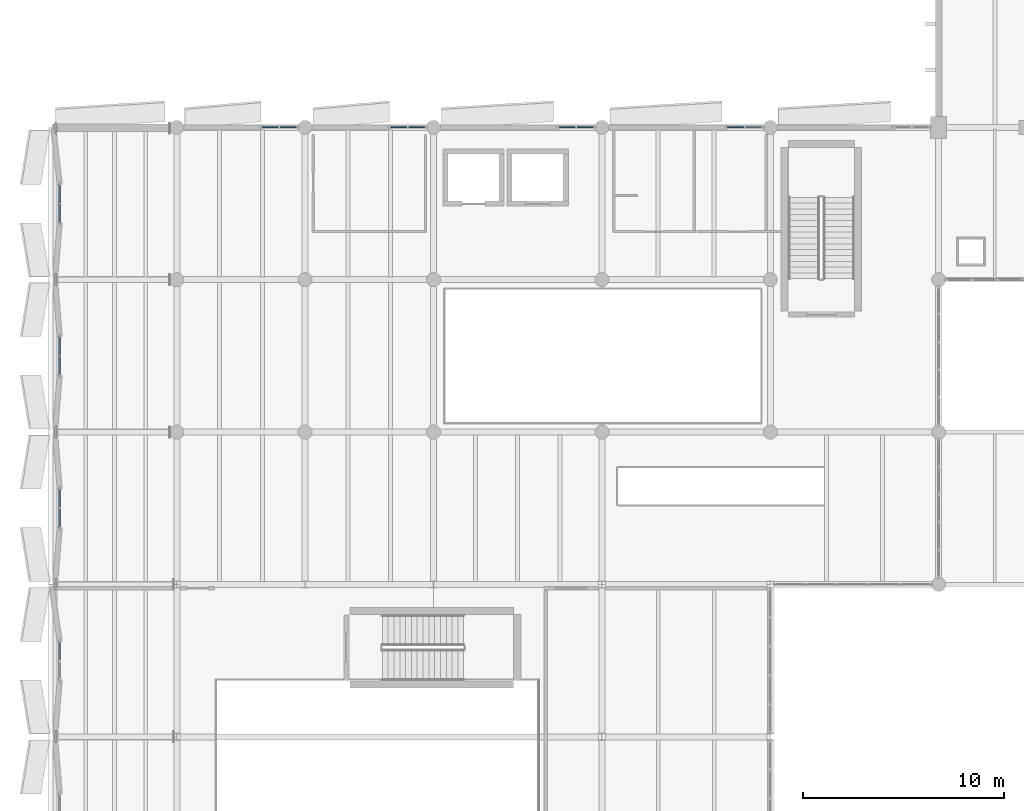
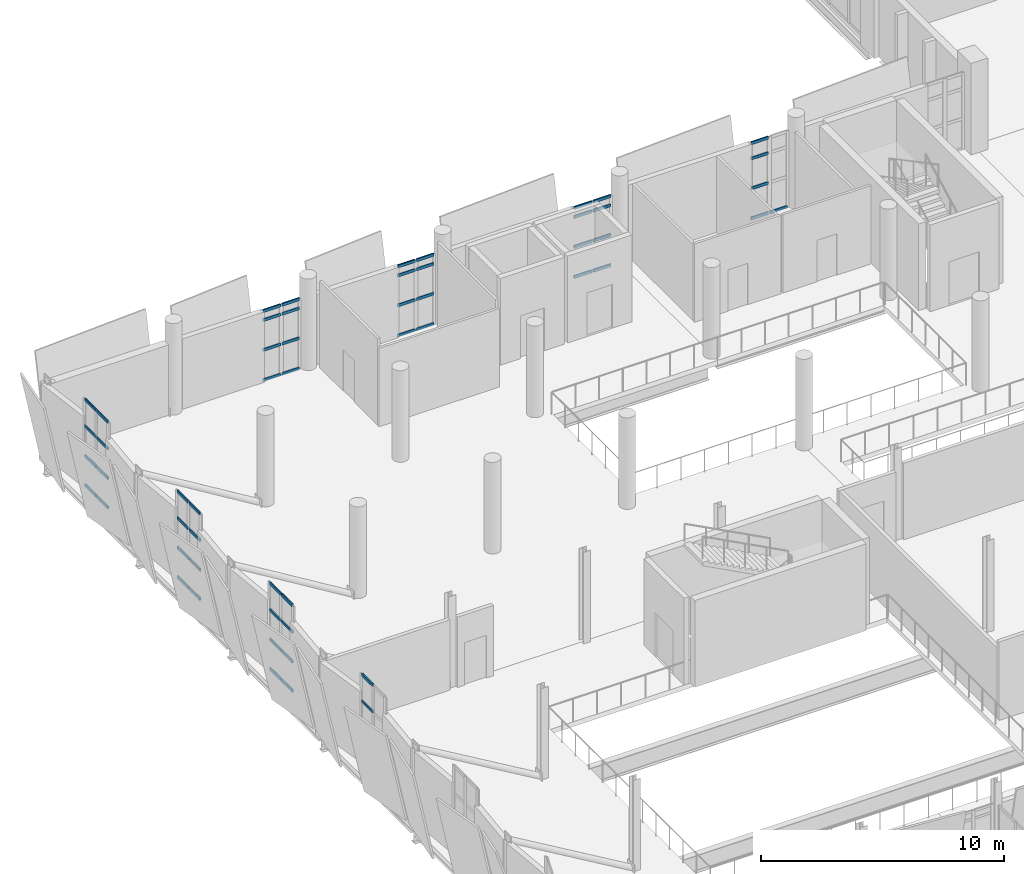
# One storey, part 95 of 136: 55 members, 8 elements without a shape of their own.
"""IFC4 building model written with IfcOpenShell, lengths in metres."""

from ifc_helpers import new_model, si_unit, direction, frame, origin, origin_2d, place, context, subcontext, project, spatial, hollow_rectangle, extrude, material, material_profile, profile_set, type_object, element, aggregate, save


model = new_model("IFC4")

# Units and contexts
model_context = context("Model", 3, precision=1e-05, world=origin(), true_north=direction((0.0, 1.0)))
body_context = subcontext(model_context, "Body", "Model", "MODEL_VIEW")
ifc_project = project(units=[si_unit("LENGTHUNIT", "METRE"), si_unit("AREAUNIT", "SQUARE_METRE"), si_unit("VOLUMEUNIT", "CUBIC_METRE"), si_unit("PLANEANGLEUNIT", "RADIAN"), si_unit("MASSUNIT", "GRAM", prefix="KILO")], contexts=[model_context])

# Site, building, storey
site_placement = place(None, origin())
site = spatial("IfcSite", under=ifc_project, at=site_placement, CompositionType="ELEMENT")
building_placement = place(site_placement, origin())
building = spatial("IfcBuilding", under=site, at=building_placement, Name="Shengluoqiao Park Theatre", CompositionType="ELEMENT")
storey_placement = place(building_placement, frame((0.0, 0.0, 10.0)))
storey = spatial("IfcBuildingStorey", under=building, at=storey_placement, Name="L02", CompositionType="ELEMENT", Elevation=10.0)

# Curtain wall, members
ifc_material = material(Name="Aluminium 6063-T6", Category="aluminium")
curtain_wall_type_1 = type_object("IfcCurtainWallType", Name="ENV-CW-FOYER", PredefinedType="NOTDEFINED", material=ifc_material)
curtain_wall_1_placement = place(storey_placement, origin())
curtain_wall_1 = element("IfcCurtainWall", 1, at=curtain_wall_1_placement, inside=storey, type_object=curtain_wall_type_1, Name="L02 Curtain Wall CW-L02-0061", PredefinedType="NOTDEFINED")
ifc_material_profile = material_profile(ifc_material, hollow_rectangle(XDim=0.06494140625, YDim=0.14990234375, WallThickness=0.00390625, InnerFilletRadius=0.00390625, OuterFilletRadius=0.008056640625, at=origin_2d()), Name="ALU TRANSOM 150x65x4")
ifc_profile_set = profile_set([ifc_material_profile], Name="Aluminium 6063-T6")
member_type = type_object("IfcMemberType", Name="ENV-TRN-150", PredefinedType="USERDEFINED", material=ifc_profile_set)
member_1_placement = place(storey_placement, frame((10.65087890625, 76.0, 0.032470703125), z_axis=(1.0, 0.0, 0.0), x_axis=(0.0, 1.0, 0.0)))
member_1 = element("IfcMember", 2, at=member_1_placement, type_object=member_type, Name="CW-01 transom 1.1", ObjectType="TRANSOM", PredefinedType="USERDEFINED", context=body_context, shape_type="SweptSolid", body=[
    extrude(hollow_rectangle(XDim=0.06494140625, YDim=0.14990234375, WallThickness=0.00390625, InnerFilletRadius=0.00390625, OuterFilletRadius=0.008056640625, at=origin_2d()), origin(), (0.0, 0.0, 1.0), 0.83251953125),
])
member_2_placement = place(storey_placement, frame((10.65087890625, 76.0, 1.550048828125), z_axis=(1.0, 0.0, 0.0), x_axis=(0.0, 1.0, 0.0)))
member_2 = element("IfcMember", 3, at=member_2_placement, type_object=member_type, Name="CW-01 transom 1.2", ObjectType="TRANSOM", PredefinedType="USERDEFINED", context=body_context, shape_type="SweptSolid", body=[
    extrude(hollow_rectangle(XDim=0.06494140625, YDim=0.14990234375, WallThickness=0.00390625, InnerFilletRadius=0.00390625, OuterFilletRadius=0.008056640625, at=origin_2d()), origin(), (0.0, 0.0, 1.0), 0.83251953125),
])
member_3_placement = place(storey_placement, frame((10.65087890625, 76.0, 3.050048828125), z_axis=(1.0, 0.0, 0.0), x_axis=(0.0, 1.0, 0.0)))
member_3 = element("IfcMember", 4, at=member_3_placement, type_object=member_type, Name="CW-01 transom 1.3", ObjectType="TRANSOM", PredefinedType="USERDEFINED", context=body_context, shape_type="SweptSolid", body=[
    extrude(hollow_rectangle(XDim=0.06494140625, YDim=0.14990234375, WallThickness=0.00390625, InnerFilletRadius=0.00390625, OuterFilletRadius=0.008056640625, at=origin_2d()), origin(), (0.0, 0.0, 1.0), 0.83251953125),
])
member_4_placement = place(storey_placement, frame((10.65087890625, 76.0, 3.505615234375), z_axis=(1.0, 0.0, 0.0), x_axis=(0.0, 1.0, 0.0)))
member_4 = element("IfcMember", 5, at=member_4_placement, type_object=member_type, Name="CW-01 transom 1.4", ObjectType="TRANSOM", PredefinedType="USERDEFINED", context=body_context, shape_type="SweptSolid", body=[
    extrude(hollow_rectangle(XDim=0.06494140625, YDim=0.14990234375, WallThickness=0.00390625, InnerFilletRadius=0.00390625, OuterFilletRadius=0.008056640625, at=origin_2d()), origin(), (0.0, 0.0, 1.0), 0.83251953125),
])
member_5_placement = place(storey_placement, frame((11.548583984375, 76.0, 0.032470703125), z_axis=(1.0, 0.0, 0.0), x_axis=(0.0, 1.0, 0.0)))
member_5 = element("IfcMember", 6, at=member_5_placement, type_object=member_type, Name="CW-01 transom 2.1", ObjectType="TRANSOM", PredefinedType="USERDEFINED", context=body_context, shape_type="SweptSolid", body=[
    extrude(hollow_rectangle(XDim=0.06494140625, YDim=0.14990234375, WallThickness=0.00390625, InnerFilletRadius=0.00390625, OuterFilletRadius=0.008056640625, at=origin_2d()), origin(), (0.0, 0.0, 1.0), 0.83251953125),
])
member_6_placement = place(storey_placement, frame((11.548583984375, 76.0, 1.550048828125), z_axis=(1.0, 0.0, 0.0), x_axis=(0.0, 1.0, 0.0)))
member_6 = element("IfcMember", 7, at=member_6_placement, type_object=member_type, Name="CW-01 transom 2.2", ObjectType="TRANSOM", PredefinedType="USERDEFINED", context=body_context, shape_type="SweptSolid", body=[
    extrude(hollow_rectangle(XDim=0.06494140625, YDim=0.14990234375, WallThickness=0.00390625, InnerFilletRadius=0.00390625, OuterFilletRadius=0.008056640625, at=origin_2d()), origin(), (0.0, 0.0, 1.0), 0.83251953125),
])
member_7_placement = place(storey_placement, frame((11.548583984375, 76.0, 3.050048828125), z_axis=(1.0, 0.0, 0.0), x_axis=(0.0, 1.0, 0.0)))
member_7 = element("IfcMember", 8, at=member_7_placement, type_object=member_type, Name="CW-01 transom 2.3", ObjectType="TRANSOM", PredefinedType="USERDEFINED", context=body_context, shape_type="SweptSolid", body=[
    extrude(hollow_rectangle(XDim=0.06494140625, YDim=0.14990234375, WallThickness=0.00390625, InnerFilletRadius=0.00390625, OuterFilletRadius=0.008056640625, at=origin_2d()), origin(), (0.0, 0.0, 1.0), 0.83251953125),
])
member_8_placement = place(storey_placement, frame((11.548583984375, 76.0, 3.505615234375), z_axis=(1.0, 0.0, 0.0), x_axis=(0.0, 1.0, 0.0)))
member_8 = element("IfcMember", 9, at=member_8_placement, type_object=member_type, Name="CW-01 transom 2.4", ObjectType="TRANSOM", PredefinedType="USERDEFINED", context=body_context, shape_type="SweptSolid", body=[
    extrude(hollow_rectangle(XDim=0.06494140625, YDim=0.14990234375, WallThickness=0.00390625, InnerFilletRadius=0.00390625, OuterFilletRadius=0.008056640625, at=origin_2d()), origin(), (0.0, 0.0, 1.0), 0.83251953125),
])
aggregate(curtain_wall_1, [member_1, member_2, member_3, member_4, member_5, member_6, member_7, member_8])

curtain_wall_2_placement = place(storey_placement, origin())
curtain_wall_2 = element("IfcCurtainWall", 10, at=curtain_wall_2_placement, inside=storey, type_object=curtain_wall_type_1, Name="L02 Curtain Wall CW-L02-0062", PredefinedType="NOTDEFINED")
member_9_placement = place(storey_placement, frame((17.051025390625, 76.0, 0.032470703125), z_axis=(1.0, 0.0, 0.0), x_axis=(0.0, 1.0, 0.0)))
member_9 = element("IfcMember", 11, at=member_9_placement, type_object=member_type, Name="CW-01 transom 1.1", ObjectType="TRANSOM", PredefinedType="USERDEFINED", context=body_context, shape_type="SweptSolid", body=[
    extrude(hollow_rectangle(XDim=0.06494140625, YDim=0.14990234375, WallThickness=0.00390625, InnerFilletRadius=0.00390625, OuterFilletRadius=0.008056640625, at=origin_2d()), origin(), (0.0, 0.0, 1.0), 0.83251953125),
])
member_10_placement = place(storey_placement, frame((17.051025390625, 76.0, 1.550048828125), z_axis=(1.0, 0.0, 0.0), x_axis=(0.0, 1.0, 0.0)))
member_10 = element("IfcMember", 12, at=member_10_placement, type_object=member_type, Name="CW-01 transom 1.2", ObjectType="TRANSOM", PredefinedType="USERDEFINED", context=body_context, shape_type="SweptSolid", body=[
    extrude(hollow_rectangle(XDim=0.06494140625, YDim=0.14990234375, WallThickness=0.00390625, InnerFilletRadius=0.00390625, OuterFilletRadius=0.008056640625, at=origin_2d()), origin(), (0.0, 0.0, 1.0), 0.83251953125),
])
member_11_placement = place(storey_placement, frame((17.051025390625, 76.0, 3.050048828125), z_axis=(1.0, 0.0, 0.0), x_axis=(0.0, 1.0, 0.0)))
member_11 = element("IfcMember", 13, at=member_11_placement, type_object=member_type, Name="CW-01 transom 1.3", ObjectType="TRANSOM", PredefinedType="USERDEFINED", context=body_context, shape_type="SweptSolid", body=[
    extrude(hollow_rectangle(XDim=0.06494140625, YDim=0.14990234375, WallThickness=0.00390625, InnerFilletRadius=0.00390625, OuterFilletRadius=0.008056640625, at=origin_2d()), origin(), (0.0, 0.0, 1.0), 0.83251953125),
])
member_12_placement = place(storey_placement, frame((17.051025390625, 76.0, 3.505615234375), z_axis=(1.0, 0.0, 0.0), x_axis=(0.0, 1.0, 0.0)))
member_12 = element("IfcMember", 14, at=member_12_placement, type_object=member_type, Name="CW-01 transom 1.4", ObjectType="TRANSOM", PredefinedType="USERDEFINED", context=body_context, shape_type="SweptSolid", body=[
    extrude(hollow_rectangle(XDim=0.06494140625, YDim=0.14990234375, WallThickness=0.00390625, InnerFilletRadius=0.00390625, OuterFilletRadius=0.008056640625, at=origin_2d()), origin(), (0.0, 0.0, 1.0), 0.83251953125),
])
member_13_placement = place(storey_placement, frame((17.948486328125, 76.0, 0.032470703125), z_axis=(1.0, 0.0, 0.0), x_axis=(0.0, 1.0, 0.0)))
member_13 = element("IfcMember", 15, at=member_13_placement, type_object=member_type, Name="CW-01 transom 2.1", ObjectType="TRANSOM", PredefinedType="USERDEFINED", context=body_context, shape_type="SweptSolid", body=[
    extrude(hollow_rectangle(XDim=0.06494140625, YDim=0.14990234375, WallThickness=0.00390625, InnerFilletRadius=0.00390625, OuterFilletRadius=0.008056640625, at=origin_2d()), origin(), (0.0, 0.0, 1.0), 0.83251953125),
])
member_14_placement = place(storey_placement, frame((17.948486328125, 76.0, 1.550048828125), z_axis=(1.0, 0.0, 0.0), x_axis=(0.0, 1.0, 0.0)))
member_14 = element("IfcMember", 16, at=member_14_placement, type_object=member_type, Name="CW-01 transom 2.2", ObjectType="TRANSOM", PredefinedType="USERDEFINED", context=body_context, shape_type="SweptSolid", body=[
    extrude(hollow_rectangle(XDim=0.06494140625, YDim=0.14990234375, WallThickness=0.00390625, InnerFilletRadius=0.00390625, OuterFilletRadius=0.008056640625, at=origin_2d()), origin(), (0.0, 0.0, 1.0), 0.83251953125),
])
member_15_placement = place(storey_placement, frame((17.948486328125, 76.0, 3.050048828125), z_axis=(1.0, 0.0, 0.0), x_axis=(0.0, 1.0, 0.0)))
member_15 = element("IfcMember", 17, at=member_15_placement, type_object=member_type, Name="CW-01 transom 2.3", ObjectType="TRANSOM", PredefinedType="USERDEFINED", context=body_context, shape_type="SweptSolid", body=[
    extrude(hollow_rectangle(XDim=0.06494140625, YDim=0.14990234375, WallThickness=0.00390625, InnerFilletRadius=0.00390625, OuterFilletRadius=0.008056640625, at=origin_2d()), origin(), (0.0, 0.0, 1.0), 0.83251953125),
])
member_16_placement = place(storey_placement, frame((17.948486328125, 76.0, 3.505615234375), z_axis=(1.0, 0.0, 0.0), x_axis=(0.0, 1.0, 0.0)))
member_16 = element("IfcMember", 18, at=member_16_placement, type_object=member_type, Name="CW-01 transom 2.4", ObjectType="TRANSOM", PredefinedType="USERDEFINED", context=body_context, shape_type="SweptSolid", body=[
    extrude(hollow_rectangle(XDim=0.06494140625, YDim=0.14990234375, WallThickness=0.00390625, InnerFilletRadius=0.00390625, OuterFilletRadius=0.008056640625, at=origin_2d()), origin(), (0.0, 0.0, 1.0), 0.83251953125),
])
aggregate(curtain_wall_2, [member_9, member_10, member_11, member_12, member_13, member_14, member_15, member_16])

curtain_wall_3_placement = place(storey_placement, origin())
curtain_wall_3 = element("IfcCurtainWall", 19, at=curtain_wall_3_placement, inside=storey, type_object=curtain_wall_type_1, Name="L02 Curtain Wall CW-L02-0063", PredefinedType="NOTDEFINED")
member_17_placement = place(storey_placement, frame((25.450927734375, 76.0, 0.032470703125), z_axis=(1.0, 0.0, 0.0), x_axis=(0.0, 1.0, 0.0)))
member_17 = element("IfcMember", 20, at=member_17_placement, type_object=member_type, Name="CW-01 transom 1.1", ObjectType="TRANSOM", PredefinedType="USERDEFINED", context=body_context, shape_type="SweptSolid", body=[
    extrude(hollow_rectangle(XDim=0.06494140625, YDim=0.14990234375, WallThickness=0.00390625, InnerFilletRadius=0.00390625, OuterFilletRadius=0.008056640625, at=origin_2d()), origin(), (0.0, 0.0, 1.0), 0.83251953125),
])
member_18_placement = place(storey_placement, frame((25.450927734375, 76.0, 1.550048828125), z_axis=(1.0, 0.0, 0.0), x_axis=(0.0, 1.0, 0.0)))
member_18 = element("IfcMember", 21, at=member_18_placement, type_object=member_type, Name="CW-01 transom 1.2", ObjectType="TRANSOM", PredefinedType="USERDEFINED", context=body_context, shape_type="SweptSolid", body=[
    extrude(hollow_rectangle(XDim=0.06494140625, YDim=0.14990234375, WallThickness=0.00390625, InnerFilletRadius=0.00390625, OuterFilletRadius=0.008056640625, at=origin_2d()), origin(), (0.0, 0.0, 1.0), 0.83251953125),
])
member_19_placement = place(storey_placement, frame((25.450927734375, 76.0, 3.050048828125), z_axis=(1.0, 0.0, 0.0), x_axis=(0.0, 1.0, 0.0)))
member_19 = element("IfcMember", 22, at=member_19_placement, type_object=member_type, Name="CW-01 transom 1.3", ObjectType="TRANSOM", PredefinedType="USERDEFINED", context=body_context, shape_type="SweptSolid", body=[
    extrude(hollow_rectangle(XDim=0.06494140625, YDim=0.14990234375, WallThickness=0.00390625, InnerFilletRadius=0.00390625, OuterFilletRadius=0.008056640625, at=origin_2d()), origin(), (0.0, 0.0, 1.0), 0.83251953125),
])
member_20_placement = place(storey_placement, frame((25.450927734375, 76.0, 3.505615234375), z_axis=(1.0, 0.0, 0.0), x_axis=(0.0, 1.0, 0.0)))
member_20 = element("IfcMember", 23, at=member_20_placement, type_object=member_type, Name="CW-01 transom 1.4", ObjectType="TRANSOM", PredefinedType="USERDEFINED", context=body_context, shape_type="SweptSolid", body=[
    extrude(hollow_rectangle(XDim=0.06494140625, YDim=0.14990234375, WallThickness=0.00390625, InnerFilletRadius=0.00390625, OuterFilletRadius=0.008056640625, at=origin_2d()), origin(), (0.0, 0.0, 1.0), 0.83251953125),
])
member_21_placement = place(storey_placement, frame((26.348388671875, 76.0, 0.032470703125), z_axis=(1.0, 0.0, 0.0), x_axis=(0.0, 1.0, 0.0)))
member_21 = element("IfcMember", 24, at=member_21_placement, type_object=member_type, Name="CW-01 transom 2.1", ObjectType="TRANSOM", PredefinedType="USERDEFINED", context=body_context, shape_type="SweptSolid", body=[
    extrude(hollow_rectangle(XDim=0.06494140625, YDim=0.14990234375, WallThickness=0.00390625, InnerFilletRadius=0.00390625, OuterFilletRadius=0.008056640625, at=origin_2d()), origin(), (0.0, 0.0, 1.0), 0.83251953125),
])
member_22_placement = place(storey_placement, frame((26.348388671875, 76.0, 1.550048828125), z_axis=(1.0, 0.0, 0.0), x_axis=(0.0, 1.0, 0.0)))
member_22 = element("IfcMember", 25, at=member_22_placement, type_object=member_type, Name="CW-01 transom 2.2", ObjectType="TRANSOM", PredefinedType="USERDEFINED", context=body_context, shape_type="SweptSolid", body=[
    extrude(hollow_rectangle(XDim=0.06494140625, YDim=0.14990234375, WallThickness=0.00390625, InnerFilletRadius=0.00390625, OuterFilletRadius=0.008056640625, at=origin_2d()), origin(), (0.0, 0.0, 1.0), 0.83251953125),
])
member_23_placement = place(storey_placement, frame((26.348388671875, 76.0, 3.050048828125), z_axis=(1.0, 0.0, 0.0), x_axis=(0.0, 1.0, 0.0)))
member_23 = element("IfcMember", 26, at=member_23_placement, type_object=member_type, Name="CW-01 transom 2.3", ObjectType="TRANSOM", PredefinedType="USERDEFINED", context=body_context, shape_type="SweptSolid", body=[
    extrude(hollow_rectangle(XDim=0.06494140625, YDim=0.14990234375, WallThickness=0.00390625, InnerFilletRadius=0.00390625, OuterFilletRadius=0.008056640625, at=origin_2d()), origin(), (0.0, 0.0, 1.0), 0.83251953125),
])
member_24_placement = place(storey_placement, frame((26.348388671875, 76.0, 3.505615234375), z_axis=(1.0, 0.0, 0.0), x_axis=(0.0, 1.0, 0.0)))
member_24 = element("IfcMember", 27, at=member_24_placement, type_object=member_type, Name="CW-01 transom 2.4", ObjectType="TRANSOM", PredefinedType="USERDEFINED", context=body_context, shape_type="SweptSolid", body=[
    extrude(hollow_rectangle(XDim=0.06494140625, YDim=0.14990234375, WallThickness=0.00390625, InnerFilletRadius=0.00390625, OuterFilletRadius=0.008056640625, at=origin_2d()), origin(), (0.0, 0.0, 1.0), 0.83251953125),
])
aggregate(curtain_wall_3, [member_17, member_18, member_19, member_20, member_21, member_22, member_23, member_24])

curtain_wall_4_placement = place(storey_placement, origin())
curtain_wall_4 = element("IfcCurtainWall", 28, at=curtain_wall_4_placement, inside=storey, type_object=curtain_wall_type_1, Name="L02 Curtain Wall CW-L02-0064", PredefinedType="NOTDEFINED")
member_25_placement = place(storey_placement, frame((33.85107421875, 76.0, 0.032470703125), z_axis=(1.0, 0.0, 0.0), x_axis=(0.0, 1.0, 0.0)))
member_25 = element("IfcMember", 29, at=member_25_placement, type_object=member_type, Name="CW-01 transom 1.1", ObjectType="TRANSOM", PredefinedType="USERDEFINED", context=body_context, shape_type="SweptSolid", body=[
    extrude(hollow_rectangle(XDim=0.06494140625, YDim=0.14990234375, WallThickness=0.00390625, InnerFilletRadius=0.00390625, OuterFilletRadius=0.008056640625, at=origin_2d()), origin(), (0.0, 0.0, 1.0), 0.83251953125),
])
member_26_placement = place(storey_placement, frame((33.85107421875, 76.0, 1.550048828125), z_axis=(1.0, 0.0, 0.0), x_axis=(0.0, 1.0, 0.0)))
member_26 = element("IfcMember", 30, at=member_26_placement, type_object=member_type, Name="CW-01 transom 1.2", ObjectType="TRANSOM", PredefinedType="USERDEFINED", context=body_context, shape_type="SweptSolid", body=[
    extrude(hollow_rectangle(XDim=0.06494140625, YDim=0.14990234375, WallThickness=0.00390625, InnerFilletRadius=0.00390625, OuterFilletRadius=0.008056640625, at=origin_2d()), origin(), (0.0, 0.0, 1.0), 0.83251953125),
])
member_27_placement = place(storey_placement, frame((33.85107421875, 76.0, 3.050048828125), z_axis=(1.0, 0.0, 0.0), x_axis=(0.0, 1.0, 0.0)))
member_27 = element("IfcMember", 31, at=member_27_placement, type_object=member_type, Name="CW-01 transom 1.3", ObjectType="TRANSOM", PredefinedType="USERDEFINED", context=body_context, shape_type="SweptSolid", body=[
    extrude(hollow_rectangle(XDim=0.06494140625, YDim=0.14990234375, WallThickness=0.00390625, InnerFilletRadius=0.00390625, OuterFilletRadius=0.008056640625, at=origin_2d()), origin(), (0.0, 0.0, 1.0), 0.83251953125),
])
member_28_placement = place(storey_placement, frame((33.85107421875, 76.0, 3.8173828125), z_axis=(1.0, 0.0, 0.0), x_axis=(0.0, 1.0, 0.0)))
member_28 = element("IfcMember", 32, at=member_28_placement, type_object=member_type, Name="CW-01 transom 1.4", ObjectType="TRANSOM", PredefinedType="USERDEFINED", context=body_context, shape_type="SweptSolid", body=[
    extrude(hollow_rectangle(XDim=0.06494140625, YDim=0.14990234375, WallThickness=0.00390625, InnerFilletRadius=0.00390625, OuterFilletRadius=0.008056640625, at=origin_2d()), origin(), (0.0, 0.0, 1.0), 0.83251953125),
])
member_29_placement = place(storey_placement, frame((34.74853515625, 76.0, 0.032470703125), z_axis=(1.0, 0.0, 0.0), x_axis=(0.0, 1.0, 0.0)))
member_29 = element("IfcMember", 33, at=member_29_placement, type_object=member_type, Name="CW-01 transom 2.1", ObjectType="TRANSOM", PredefinedType="USERDEFINED", context=body_context, shape_type="SweptSolid", body=[
    extrude(hollow_rectangle(XDim=0.06494140625, YDim=0.14990234375, WallThickness=0.00390625, InnerFilletRadius=0.00390625, OuterFilletRadius=0.008056640625, at=origin_2d()), origin(), (0.0, 0.0, 1.0), 0.83251953125),
])
aggregate(curtain_wall_4, [member_25, member_26, member_27, member_28, member_29])

curtain_wall_type_2 = type_object("IfcCurtainWallType", Name="ENV-CW-STUDIO", PredefinedType="NOTDEFINED", material=ifc_material)
curtain_wall_5_placement = place(storey_placement, origin())
curtain_wall_5 = element("IfcCurtainWall", 34, at=curtain_wall_5_placement, inside=storey, type_object=curtain_wall_type_2, Name="L02 Curtain Wall CW-L02-SLIT-0240", PredefinedType="NOTDEFINED")
member_30_placement = place(storey_placement, frame((0.56005859375, 49.4326171875, 3.0), z_axis=(0.0, 1.0, 0.0), x_axis=(-1.0, 0.0, 0.0)))
member_30 = element("IfcMember", 35, at=member_30_placement, type_object=member_type, Name="CW-02 transom 2.3", ObjectType="TRANSOM", PredefinedType="USERDEFINED", context=body_context, shape_type="SweptSolid", body=[
    extrude(hollow_rectangle(XDim=0.06494140625, YDim=0.14990234375, WallThickness=0.00390625, InnerFilletRadius=0.00390625, OuterFilletRadius=0.008056640625, at=origin_2d()), origin(), (0.0, 0.0, 1.0), 0.90234375),
])
member_31_placement = place(storey_placement, frame((0.56005859375, 49.4326171875, 4.327392578125), z_axis=(0.0, 1.0, 0.0), x_axis=(-1.0, 0.0, 0.0)))
member_31 = element("IfcMember", 36, at=member_31_placement, type_object=member_type, Name="CW-02 transom 2.4", ObjectType="TRANSOM", PredefinedType="USERDEFINED", context=body_context, shape_type="SweptSolid", body=[
    extrude(hollow_rectangle(XDim=0.06494140625, YDim=0.14990234375, WallThickness=0.00390625, InnerFilletRadius=0.00390625, OuterFilletRadius=0.008056640625, at=origin_2d()), origin(), (0.0, 0.0, 1.0), 0.90234375),
])
aggregate(curtain_wall_5, [member_30, member_31])

curtain_wall_6_placement = place(storey_placement, origin())
curtain_wall_6 = element("IfcCurtainWall", 37, at=curtain_wall_6_placement, inside=storey, type_object=curtain_wall_type_1, Name="L02 Curtain Wall CW-L02-SLIT-0241", PredefinedType="NOTDEFINED")
member_32_placement = place(storey_placement, frame((0.56005859375, 56.06494140625, 0.032470703125), z_axis=(0.0, 1.0, 0.0), x_axis=(-1.0, 0.0, 0.0)))
member_32 = element("IfcMember", 38, at=member_32_placement, type_object=member_type, Name="CW-01 transom 1.1", ObjectType="TRANSOM", PredefinedType="USERDEFINED", context=body_context, shape_type="SweptSolid", body=[
    extrude(hollow_rectangle(XDim=0.06494140625, YDim=0.14990234375, WallThickness=0.00390625, InnerFilletRadius=0.00390625, OuterFilletRadius=0.008056640625, at=origin_2d()), origin(), (0.0, 0.0, 1.0), 0.902587890625),
])
member_33_placement = place(storey_placement, frame((0.56005859375, 56.06494140625, 1.5), z_axis=(0.0, 1.0, 0.0), x_axis=(-1.0, 0.0, 0.0)))
member_33 = element("IfcMember", 39, at=member_33_placement, type_object=member_type, Name="CW-01 transom 1.2", ObjectType="TRANSOM", PredefinedType="USERDEFINED", context=body_context, shape_type="SweptSolid", body=[
    extrude(hollow_rectangle(XDim=0.06494140625, YDim=0.14990234375, WallThickness=0.00390625, InnerFilletRadius=0.00390625, OuterFilletRadius=0.008056640625, at=origin_2d()), origin(), (0.0, 0.0, 1.0), 0.902587890625),
])
member_34_placement = place(storey_placement, frame((0.56005859375, 56.06494140625, 3.0), z_axis=(0.0, 1.0, 0.0), x_axis=(-1.0, 0.0, 0.0)))
member_34 = element("IfcMember", 40, at=member_34_placement, type_object=member_type, Name="CW-01 transom 1.3", ObjectType="TRANSOM", PredefinedType="USERDEFINED", context=body_context, shape_type="SweptSolid", body=[
    extrude(hollow_rectangle(XDim=0.06494140625, YDim=0.14990234375, WallThickness=0.00390625, InnerFilletRadius=0.00390625, OuterFilletRadius=0.008056640625, at=origin_2d()), origin(), (0.0, 0.0, 1.0), 0.902587890625),
])
member_35_placement = place(storey_placement, frame((0.56005859375, 56.06494140625, 4.327392578125), z_axis=(0.0, 1.0, 0.0), x_axis=(-1.0, 0.0, 0.0)))
member_35 = element("IfcMember", 41, at=member_35_placement, type_object=member_type, Name="CW-01 transom 1.4", ObjectType="TRANSOM", PredefinedType="USERDEFINED", context=body_context, shape_type="SweptSolid", body=[
    extrude(hollow_rectangle(XDim=0.06494140625, YDim=0.14990234375, WallThickness=0.00390625, InnerFilletRadius=0.00390625, OuterFilletRadius=0.008056640625, at=origin_2d()), origin(), (0.0, 0.0, 1.0), 0.902587890625),
])
member_36_placement = place(storey_placement, frame((0.56005859375, 57.032470703125, 0.032470703125), z_axis=(0.0, 1.0, 0.0), x_axis=(-1.0, 0.0, 0.0)))
member_36 = element("IfcMember", 42, at=member_36_placement, type_object=member_type, Name="CW-01 transom 2.1", ObjectType="TRANSOM", PredefinedType="USERDEFINED", context=body_context, shape_type="SweptSolid", body=[
    extrude(hollow_rectangle(XDim=0.06494140625, YDim=0.14990234375, WallThickness=0.00390625, InnerFilletRadius=0.00390625, OuterFilletRadius=0.008056640625, at=origin_2d()), origin(), (0.0, 0.0, 1.0), 0.902587890625),
])
member_37_placement = place(storey_placement, frame((0.56005859375, 57.032470703125, 1.5), z_axis=(0.0, 1.0, 0.0), x_axis=(-1.0, 0.0, 0.0)))
member_37 = element("IfcMember", 43, at=member_37_placement, type_object=member_type, Name="CW-01 transom 2.2", ObjectType="TRANSOM", PredefinedType="USERDEFINED", context=body_context, shape_type="SweptSolid", body=[
    extrude(hollow_rectangle(XDim=0.06494140625, YDim=0.14990234375, WallThickness=0.00390625, InnerFilletRadius=0.00390625, OuterFilletRadius=0.008056640625, at=origin_2d()), origin(), (0.0, 0.0, 1.0), 0.902587890625),
])
member_38_placement = place(storey_placement, frame((0.56005859375, 57.032470703125, 3.0), z_axis=(0.0, 1.0, 0.0), x_axis=(-1.0, 0.0, 0.0)))
member_38 = element("IfcMember", 44, at=member_38_placement, type_object=member_type, Name="CW-01 transom 2.3", ObjectType="TRANSOM", PredefinedType="USERDEFINED", context=body_context, shape_type="SweptSolid", body=[
    extrude(hollow_rectangle(XDim=0.06494140625, YDim=0.14990234375, WallThickness=0.00390625, InnerFilletRadius=0.00390625, OuterFilletRadius=0.008056640625, at=origin_2d()), origin(), (0.0, 0.0, 1.0), 0.902587890625),
])
member_39_placement = place(storey_placement, frame((0.56005859375, 57.032470703125, 4.327392578125), z_axis=(0.0, 1.0, 0.0), x_axis=(-1.0, 0.0, 0.0)))
member_39 = element("IfcMember", 45, at=member_39_placement, type_object=member_type, Name="CW-01 transom 2.4", ObjectType="TRANSOM", PredefinedType="USERDEFINED", context=body_context, shape_type="SweptSolid", body=[
    extrude(hollow_rectangle(XDim=0.06494140625, YDim=0.14990234375, WallThickness=0.00390625, InnerFilletRadius=0.00390625, OuterFilletRadius=0.008056640625, at=origin_2d()), origin(), (0.0, 0.0, 1.0), 0.902587890625),
])
aggregate(curtain_wall_6, [member_32, member_33, member_34, member_35, member_36, member_37, member_38, member_39])

curtain_wall_7_placement = place(storey_placement, origin())
curtain_wall_7 = element("IfcCurtainWall", 46, at=curtain_wall_7_placement, inside=storey, type_object=curtain_wall_type_1, Name="L02 Curtain Wall CW-L02-SLIT-0242", PredefinedType="NOTDEFINED")
member_40_placement = place(storey_placement, frame((0.56005859375, 63.6650390625, 0.032470703125), z_axis=(0.0, 1.0, 0.0), x_axis=(-1.0, 0.0, 0.0)))
member_40 = element("IfcMember", 47, at=member_40_placement, type_object=member_type, Name="CW-01 transom 1.1", ObjectType="TRANSOM", PredefinedType="USERDEFINED", context=body_context, shape_type="SweptSolid", body=[
    extrude(hollow_rectangle(XDim=0.06494140625, YDim=0.14990234375, WallThickness=0.00390625, InnerFilletRadius=0.00390625, OuterFilletRadius=0.008056640625, at=origin_2d()), origin(), (0.0, 0.0, 1.0), 0.90234375),
])
member_41_placement = place(storey_placement, frame((0.56005859375, 63.6650390625, 1.5), z_axis=(0.0, 1.0, 0.0), x_axis=(-1.0, 0.0, 0.0)))
member_41 = element("IfcMember", 48, at=member_41_placement, type_object=member_type, Name="CW-01 transom 1.2", ObjectType="TRANSOM", PredefinedType="USERDEFINED", context=body_context, shape_type="SweptSolid", body=[
    extrude(hollow_rectangle(XDim=0.06494140625, YDim=0.14990234375, WallThickness=0.00390625, InnerFilletRadius=0.00390625, OuterFilletRadius=0.008056640625, at=origin_2d()), origin(), (0.0, 0.0, 1.0), 0.90234375),
])
member_42_placement = place(storey_placement, frame((0.56005859375, 63.6650390625, 3.0), z_axis=(0.0, 1.0, 0.0), x_axis=(-1.0, 0.0, 0.0)))
member_42 = element("IfcMember", 49, at=member_42_placement, type_object=member_type, Name="CW-01 transom 1.3", ObjectType="TRANSOM", PredefinedType="USERDEFINED", context=body_context, shape_type="SweptSolid", body=[
    extrude(hollow_rectangle(XDim=0.06494140625, YDim=0.14990234375, WallThickness=0.00390625, InnerFilletRadius=0.00390625, OuterFilletRadius=0.008056640625, at=origin_2d()), origin(), (0.0, 0.0, 1.0), 0.90234375),
])
member_43_placement = place(storey_placement, frame((0.56005859375, 63.6650390625, 4.327392578125), z_axis=(0.0, 1.0, 0.0), x_axis=(-1.0, 0.0, 0.0)))
member_43 = element("IfcMember", 50, at=member_43_placement, type_object=member_type, Name="CW-01 transom 1.4", ObjectType="TRANSOM", PredefinedType="USERDEFINED", context=body_context, shape_type="SweptSolid", body=[
    extrude(hollow_rectangle(XDim=0.06494140625, YDim=0.14990234375, WallThickness=0.00390625, InnerFilletRadius=0.00390625, OuterFilletRadius=0.008056640625, at=origin_2d()), origin(), (0.0, 0.0, 1.0), 0.90234375),
])
member_44_placement = place(storey_placement, frame((0.56005859375, 64.632568359375, 0.032470703125), z_axis=(0.0, 1.0, 0.0), x_axis=(-1.0, 0.0, 0.0)))
member_44 = element("IfcMember", 51, at=member_44_placement, type_object=member_type, Name="CW-01 transom 2.1", ObjectType="TRANSOM", PredefinedType="USERDEFINED", context=body_context, shape_type="SweptSolid", body=[
    extrude(hollow_rectangle(XDim=0.06494140625, YDim=0.14990234375, WallThickness=0.00390625, InnerFilletRadius=0.00390625, OuterFilletRadius=0.008056640625, at=origin_2d()), origin(), (0.0, 0.0, 1.0), 0.90234375),
])
member_45_placement = place(storey_placement, frame((0.56005859375, 64.632568359375, 1.5), z_axis=(0.0, 1.0, 0.0), x_axis=(-1.0, 0.0, 0.0)))
member_45 = element("IfcMember", 52, at=member_45_placement, type_object=member_type, Name="CW-01 transom 2.2", ObjectType="TRANSOM", PredefinedType="USERDEFINED", context=body_context, shape_type="SweptSolid", body=[
    extrude(hollow_rectangle(XDim=0.06494140625, YDim=0.14990234375, WallThickness=0.00390625, InnerFilletRadius=0.00390625, OuterFilletRadius=0.008056640625, at=origin_2d()), origin(), (0.0, 0.0, 1.0), 0.90234375),
])
member_46_placement = place(storey_placement, frame((0.56005859375, 64.632568359375, 3.0), z_axis=(0.0, 1.0, 0.0), x_axis=(-1.0, 0.0, 0.0)))
member_46 = element("IfcMember", 53, at=member_46_placement, type_object=member_type, Name="CW-01 transom 2.3", ObjectType="TRANSOM", PredefinedType="USERDEFINED", context=body_context, shape_type="SweptSolid", body=[
    extrude(hollow_rectangle(XDim=0.06494140625, YDim=0.14990234375, WallThickness=0.00390625, InnerFilletRadius=0.00390625, OuterFilletRadius=0.008056640625, at=origin_2d()), origin(), (0.0, 0.0, 1.0), 0.90234375),
])
member_47_placement = place(storey_placement, frame((0.56005859375, 64.632568359375, 4.327392578125), z_axis=(0.0, 1.0, 0.0), x_axis=(-1.0, 0.0, 0.0)))
member_47 = element("IfcMember", 54, at=member_47_placement, type_object=member_type, Name="CW-01 transom 2.4", ObjectType="TRANSOM", PredefinedType="USERDEFINED", context=body_context, shape_type="SweptSolid", body=[
    extrude(hollow_rectangle(XDim=0.06494140625, YDim=0.14990234375, WallThickness=0.00390625, InnerFilletRadius=0.00390625, OuterFilletRadius=0.008056640625, at=origin_2d()), origin(), (0.0, 0.0, 1.0), 0.90234375),
])
aggregate(curtain_wall_7, [member_40, member_41, member_42, member_43, member_44, member_45, member_46, member_47])

curtain_wall_8_placement = place(storey_placement, origin())
curtain_wall_8 = element("IfcCurtainWall", 55, at=curtain_wall_8_placement, inside=storey, type_object=curtain_wall_type_1, Name="L02 Curtain Wall CW-L02-SLIT-0243", PredefinedType="NOTDEFINED")
member_48_placement = place(storey_placement, frame((0.56005859375, 71.264892578125, 0.032470703125), z_axis=(0.0, 1.0, 0.0), x_axis=(-1.0, 0.0, 0.0)))
member_48 = element("IfcMember", 56, at=member_48_placement, type_object=member_type, Name="CW-01 transom 1.1", ObjectType="TRANSOM", PredefinedType="USERDEFINED", context=body_context, shape_type="SweptSolid", body=[
    extrude(hollow_rectangle(XDim=0.06494140625, YDim=0.14990234375, WallThickness=0.00390625, InnerFilletRadius=0.00390625, OuterFilletRadius=0.008056640625, at=origin_2d()), origin(), (0.0, 0.0, 1.0), 0.902587890625),
])
member_49_placement = place(storey_placement, frame((0.56005859375, 71.264892578125, 1.5), z_axis=(0.0, 1.0, 0.0), x_axis=(-1.0, 0.0, 0.0)))
member_49 = element("IfcMember", 57, at=member_49_placement, type_object=member_type, Name="CW-01 transom 1.2", ObjectType="TRANSOM", PredefinedType="USERDEFINED", context=body_context, shape_type="SweptSolid", body=[
    extrude(hollow_rectangle(XDim=0.06494140625, YDim=0.14990234375, WallThickness=0.00390625, InnerFilletRadius=0.00390625, OuterFilletRadius=0.008056640625, at=origin_2d()), origin(), (0.0, 0.0, 1.0), 0.902587890625),
])
member_50_placement = place(storey_placement, frame((0.56005859375, 71.264892578125, 3.0), z_axis=(0.0, 1.0, 0.0), x_axis=(-1.0, 0.0, 0.0)))
member_50 = element("IfcMember", 58, at=member_50_placement, type_object=member_type, Name="CW-01 transom 1.3", ObjectType="TRANSOM", PredefinedType="USERDEFINED", context=body_context, shape_type="SweptSolid", body=[
    extrude(hollow_rectangle(XDim=0.06494140625, YDim=0.14990234375, WallThickness=0.00390625, InnerFilletRadius=0.00390625, OuterFilletRadius=0.008056640625, at=origin_2d()), origin(), (0.0, 0.0, 1.0), 0.902587890625),
])
member_51_placement = place(storey_placement, frame((0.56005859375, 71.264892578125, 4.327392578125), z_axis=(0.0, 1.0, 0.0), x_axis=(-1.0, 0.0, 0.0)))
member_51 = element("IfcMember", 59, at=member_51_placement, type_object=member_type, Name="CW-01 transom 1.4", ObjectType="TRANSOM", PredefinedType="USERDEFINED", context=body_context, shape_type="SweptSolid", body=[
    extrude(hollow_rectangle(XDim=0.06494140625, YDim=0.14990234375, WallThickness=0.00390625, InnerFilletRadius=0.00390625, OuterFilletRadius=0.008056640625, at=origin_2d()), origin(), (0.0, 0.0, 1.0), 0.902587890625),
])
member_52_placement = place(storey_placement, frame((0.56005859375, 72.232421875, 0.032470703125), z_axis=(0.0, 1.0, 0.0), x_axis=(-1.0, 0.0, 0.0)))
member_52 = element("IfcMember", 60, at=member_52_placement, type_object=member_type, Name="CW-01 transom 2.1", ObjectType="TRANSOM", PredefinedType="USERDEFINED", context=body_context, shape_type="SweptSolid", body=[
    extrude(hollow_rectangle(XDim=0.06494140625, YDim=0.14990234375, WallThickness=0.00390625, InnerFilletRadius=0.00390625, OuterFilletRadius=0.008056640625, at=origin_2d()), origin(), (0.0, 0.0, 1.0), 0.902587890625),
])
member_53_placement = place(storey_placement, frame((0.56005859375, 72.232421875, 1.5), z_axis=(0.0, 1.0, 0.0), x_axis=(-1.0, 0.0, 0.0)))
member_53 = element("IfcMember", 61, at=member_53_placement, type_object=member_type, Name="CW-01 transom 2.2", ObjectType="TRANSOM", PredefinedType="USERDEFINED", context=body_context, shape_type="SweptSolid", body=[
    extrude(hollow_rectangle(XDim=0.06494140625, YDim=0.14990234375, WallThickness=0.00390625, InnerFilletRadius=0.00390625, OuterFilletRadius=0.008056640625, at=origin_2d()), origin(), (0.0, 0.0, 1.0), 0.902587890625),
])
member_54_placement = place(storey_placement, frame((0.56005859375, 72.232421875, 3.0), z_axis=(0.0, 1.0, 0.0), x_axis=(-1.0, 0.0, 0.0)))
member_54 = element("IfcMember", 62, at=member_54_placement, type_object=member_type, Name="CW-01 transom 2.3", ObjectType="TRANSOM", PredefinedType="USERDEFINED", context=body_context, shape_type="SweptSolid", body=[
    extrude(hollow_rectangle(XDim=0.06494140625, YDim=0.14990234375, WallThickness=0.00390625, InnerFilletRadius=0.00390625, OuterFilletRadius=0.008056640625, at=origin_2d()), origin(), (0.0, 0.0, 1.0), 0.902587890625),
])
member_55_placement = place(storey_placement, frame((0.56005859375, 72.232421875, 4.327392578125), z_axis=(0.0, 1.0, 0.0), x_axis=(-1.0, 0.0, 0.0)))
member_55 = element("IfcMember", 63, at=member_55_placement, type_object=member_type, Name="CW-01 transom 2.4", ObjectType="TRANSOM", PredefinedType="USERDEFINED", context=body_context, shape_type="SweptSolid", body=[
    extrude(hollow_rectangle(XDim=0.06494140625, YDim=0.14990234375, WallThickness=0.00390625, InnerFilletRadius=0.00390625, OuterFilletRadius=0.008056640625, at=origin_2d()), origin(), (0.0, 0.0, 1.0), 0.902587890625),
])
aggregate(curtain_wall_8, [member_48, member_49, member_50, member_51, member_52, member_53, member_54, member_55])

save(model, "model.ifc")
